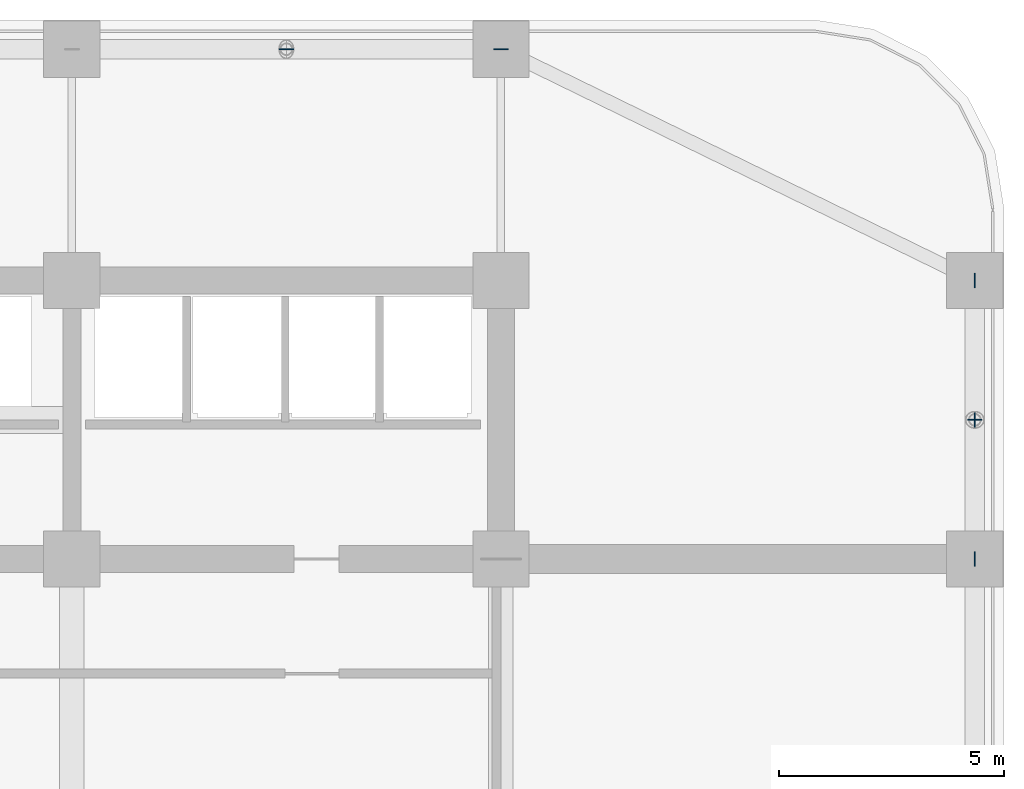
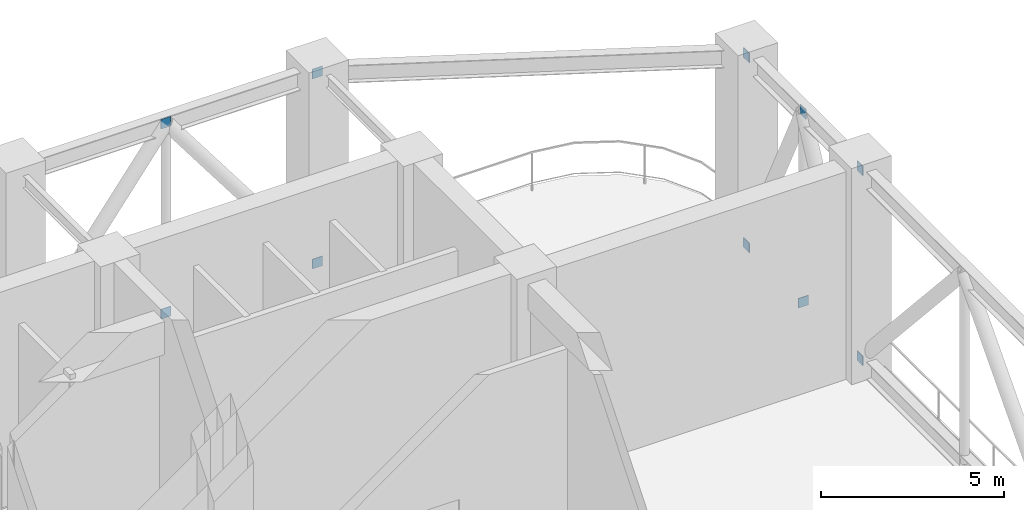
# One storey, part 17 of 20: 10 discrete accessories.
"""IFC4 building model written with IfcOpenShell, lengths in metres."""

import ifcopenshell
import ifcopenshell.guid

model = None  # the IFC model being written
_history = None  # IfcOwnerHistory: only IFC2X3 demands one
_inside = {}  # id of a spatial element -> (the spatial element, [elements in it])
_under = {}  # id of a project, library or spatial element -> (it, [spatial elements below it])
_declared = {}  # id of a project -> (the project, [libraries it declares])
_typed = {}  # id of a type object -> (the type object, [elements of that type])
_made_of = {}  # id of a material, layer set ... -> (it, [elements and type objects made of it])


def new_model(schema):
    """Start an empty IFC model of exactly this schema.

    Asked for "IFC4X3", IfcOpenShell would pick the latest addendum, in which some entities
    have other attributes; the version numbers below select the first issue.
    IFC2X3 requires an IfcOwnerHistory on every rooted entity: one is made here for all.
    """
    global model, _history
    if schema == "IFC4X3":
        model = ifcopenshell.file(schema_version=(4, 3, 0, 0))
    else:
        model = ifcopenshell.file(schema=schema)
    _inside.clear()
    _under.clear()
    _declared.clear()
    _typed.clear()
    _made_of.clear()
    _history = None
    if model.schema == "IFC2X3":
        org = make("IfcOrganization", Name="unknown")
        user = make(
            "IfcPersonAndOrganization",
            ThePerson=make("IfcPerson", FamilyName="unknown"),
            TheOrganization=org,
        )
        app = make(
            "IfcApplication",
            ApplicationDeveloper=org,
            Version="unknown",
            ApplicationFullName="unknown",
            ApplicationIdentifier="unknown",
        )
        _history = make(
            "IfcOwnerHistory",
            OwningUser=user,
            OwningApplication=app,
            ChangeAction="ADDED",
            CreationDate=0,
        )
    return model


def make(cls, **values):
    """One entity of the class cls with the attributes given. An attribute that is None is left unset."""
    return model.create_entity(
        cls, **{name: value for name, value in values.items() if value is not None}
    )


def rooted(cls, **values):
    """An entity with a GlobalId (a new one), such as an element, a storey or a relation."""
    return make(cls, GlobalId=ifcopenshell.guid.new(), OwnerHistory=_history, **values)


def si_unit(unit_type, name, prefix=None):
    """IfcSIUnit, for example si_unit("LENGTHUNIT", "METRE", prefix="MILLI")."""
    return make("IfcSIUnit", UnitType=unit_type, Prefix=prefix, Name=name)


def assignment(units):
    """IfcUnitAssignment: the units of a project."""
    return None if units is None else make("IfcUnitAssignment", Units=units)


def point(xyz):
    """IfcCartesianPoint."""
    return None if xyz is None else make("IfcCartesianPoint", Coordinates=xyz)


def direction(xyz):
    """IfcDirection."""
    return None if xyz is None else make("IfcDirection", DirectionRatios=xyz)


def frame(location, z_axis=None, x_axis=None):
    """IfcAxis2Placement3D, a coordinate frame: its origin and axes. An axis left out is left unset."""
    return make(
        "IfcAxis2Placement3D",
        Location=point(location),
        Axis=direction(z_axis),
        RefDirection=direction(x_axis),
    )


def frame_2d(location, x_axis=None):
    """IfcAxis2Placement2D, a coordinate frame in the plane: its origin and x axis."""
    return make(
        "IfcAxis2Placement2D", Location=point(location), RefDirection=direction(x_axis)
    )


def origin():
    """The frame at (0, 0, 0) with its axes left unset."""
    return frame((0.0, 0.0, 0.0))


def origin_2d():
    """The frame at (0, 0) in the plane with its x axis left unset."""
    return frame_2d((0.0, 0.0))


def place(relative_to, where):
    """IfcLocalPlacement: puts the frame where relative to a parent placement (None: the world)."""
    return make(
        "IfcLocalPlacement", PlacementRelTo=relative_to, RelativePlacement=where
    )


def context(
    kind, dimensions, precision=None, world=None, true_north=None, identifier=None
):
    """IfcGeometricRepresentationContext, for example the 3D "Model" context."""
    return make(
        "IfcGeometricRepresentationContext",
        ContextIdentifier=identifier,
        ContextType=kind,
        CoordinateSpaceDimension=dimensions,
        Precision=precision,
        WorldCoordinateSystem=world,
        TrueNorth=true_north,
    )


def subcontext(parent, identifier, kind, view, scale=None):
    """IfcGeometricRepresentationSubContext, for example "Body" below "Model"."""
    return make(
        "IfcGeometricRepresentationSubContext",
        ContextIdentifier=identifier,
        ContextType=kind,
        ParentContext=parent,
        TargetScale=scale,
        TargetView=view,
    )


def project(units=None, contexts=None):
    """IfcProject with its units and contexts."""
    return rooted(
        "IfcProject",
        Name="project",
        RepresentationContexts=contexts,
        UnitsInContext=assignment(units),
    )


def spatial(cls, under=None, at=None, **own):
    """A site, building, storey or space (cls), placed at a placement, below another one or the project."""
    s = rooted(cls, ObjectPlacement=at, **own)
    if under is not None:
        _under.setdefault(under.id(), (under, []))[1].append(s)
    return s


def profile(cls, at=None, kind="AREA", **sizes):
    """A parametric profile (cls). Its sizes go by their IFC names, for example OverallWidth=200.0."""
    return make(cls, ProfileType=kind, Position=at, **sizes)


def rectangle(**sizes):
    """IfcRectangleProfileDef."""
    return profile("IfcRectangleProfileDef", **sizes)


def extrude(swept, where, along, depth):
    """IfcExtrudedAreaSolid: the profile swept, set in the frame where, extruded along a direction by depth."""
    return make(
        "IfcExtrudedAreaSolid",
        SweptArea=swept,
        Position=where,
        ExtrudedDirection=direction(along),
        Depth=depth,
    )


def shape(context_of_items, identifier, shape_type, items):
    """IfcShapeRepresentation: the items that make up one representation, for example the "Body"."""
    return make(
        "IfcShapeRepresentation",
        ContextOfItems=context_of_items,
        RepresentationIdentifier=identifier,
        RepresentationType=shape_type,
        Items=items,
    )


def material(Name=None, Category=None):
    """IfcMaterial."""
    return make("IfcMaterial", Name=Name, Category=Category)


def layer(
    of_material, thickness, ventilated=None, Name=None, Category=None, Priority=None
):
    """IfcMaterialLayer: one layer of a wall or slab, of a material (None: an air gap)."""
    return make(
        "IfcMaterialLayer",
        Material=of_material,
        LayerThickness=thickness,
        IsVentilated=ventilated,
        Name=Name,
        Category=Category,
        Priority=Priority,
    )


def layer_set(layers, Name=None):
    """IfcMaterialLayerSet."""
    return make("IfcMaterialLayerSet", MaterialLayers=layers, LayerSetName=Name)


def made_of(thing, what):
    """Note that an element or type object is made of a material, layer set ...; save() writes the relation."""
    if what is not None:
        _made_of.setdefault(what.id(), (what, []))[1].append(thing)
    return thing


def type_object(cls, material=None, **own):
    """A type object (cls), such as IfcWallType, which elements share."""
    return made_of(rooted(cls, **own), material)


def element(
    cls,
    number,
    at=None,
    inside=None,
    cuts=None,
    type_object=None,
    material=None,
    context=None,
    identifier="Body",
    shape_type=None,
    held_by="IfcProductDefinitionShape",
    body=None,
    shapes=None,
    **own,
):
    """One element of the class cls, such as IfcWall. Its Tag is "e" and its number.

    at: its placement. inside: the storey or other place that contains it. cuts: it is an
    opening in that element (IfcRelVoidsElement). A single representation is given by context,
    identifier, shape_type and body (its items); several are given by shapes. held_by: the class
    of the entity that holds the representations. save() writes the other relations.
    """
    e = rooted(cls, Tag="e%d" % number, ObjectPlacement=at, **own)
    if body is not None:
        shapes = [shape(context, identifier, shape_type, body)]
    if shapes is not None:
        e.Representation = make(held_by, Representations=shapes)
    if inside is not None:
        _inside.setdefault(inside.id(), (inside, []))[1].append(e)
    if cuts is not None:
        rooted(
            "IfcRelVoidsElement", RelatingBuildingElement=cuts, RelatedOpeningElement=e
        )
    if type_object is not None:
        _typed.setdefault(type_object.id(), (type_object, []))[1].append(e)
    return made_of(e, material)


def aggregate(whole, parts):
    """IfcRelAggregates: a whole, such as a stair, and the parts it consists of."""
    return rooted("IfcRelAggregates", RelatingObject=whole, RelatedObjects=parts)


def save(model, path):
    """Write the relations noted so far, then the file.

    IfcRelAggregates (storeys below a building ...), IfcRelContainedInSpatialStructure (elements
    in a storey), IfcRelDefinesByType, IfcRelAssociatesMaterial and IfcRelDeclares: one each for
    every whole, place, type object, material and project.
    """
    for whole, parts in _under.values():
        aggregate(whole, parts)
    for where, things in _inside.values():
        rooted(
            "IfcRelContainedInSpatialStructure",
            RelatedElements=things,
            RelatingStructure=where,
        )
    for kind, things in _typed.values():
        rooted("IfcRelDefinesByType", RelatedObjects=things, RelatingType=kind)
    for what, things in _made_of.values():
        rooted("IfcRelAssociatesMaterial", RelatedObjects=things, RelatingMaterial=what)
    for by, libraries in _declared.values():
        rooted("IfcRelDeclares", RelatingContext=by, RelatedDefinitions=libraries)
    model.write(path)


model = new_model("IFC4")

# Units and contexts
model_context = context("Model", 3, precision=1e-05, world=origin(), true_north=direction((0.0, 1.0)))
body_context = subcontext(model_context, "Body", "Model", "MODEL_VIEW")
ifc_project = project(units=[si_unit("LENGTHUNIT", "METRE"), si_unit("AREAUNIT", "SQUARE_METRE"), si_unit("VOLUMEUNIT", "CUBIC_METRE"), si_unit("PLANEANGLEUNIT", "RADIAN"), si_unit("MASSUNIT", "GRAM", prefix="KILO")], contexts=[model_context])

# Site, building, storey
site_placement = place(None, origin())
site = spatial("IfcSite", under=ifc_project, at=site_placement, CompositionType="ELEMENT")
building_placement = place(site_placement, origin())
building = spatial("IfcBuilding", under=site, at=building_placement, Name="Svetorya Sky Lyceum", CompositionType="ELEMENT")
storey_placement = place(building_placement, frame((0.0, 0.0, 76.89990234375)))
storey = spatial("IfcBuildingStorey", under=building, at=storey_placement, Name="L19", CompositionType="ELEMENT", Elevation=76.89990234375)

# Discrete accessories
ifc_material = material(Name="Steel S355", Category="steel")
ifc_layer = layer(ifc_material, 0.02392578125)
ifc_layer_set = layer_set([ifc_layer], Name="Steel S355")
discrete_accessory_type = type_object("IfcDiscreteAccessoryType", Name="ACC-GUSSET-24", PredefinedType="BRACKET", material=ifc_layer_set)
for number, where, z_axis, x_axis, name in (
    (1, (52.800048828125, 50.949951171875, 0.13525390625), (0.0, 0.0, 1.0), (1.0, 0.0, 0.0), "L19 Brace Node Gusset Plate 25"),
    (2, (52.800048828125, 50.949951171875, 6.46484375), (0.0, 0.0, 1.0), (1.0, 0.0, 0.0), "L19 Brace Node Gusset Plate 26"),
    (3, (48.02490234375, 50.949951171875, 6.46484375), (0.0, 0.0, 1.0), (1.0, 0.0, 0.0), "L19 Brace Node Gusset Plate 27"),
    (4, (48.02490234375, 50.949951171875, 0.13525390625), (0.0, 0.0, 1.0), (1.0, 0.0, 0.0), "L19 Brace Node Gusset Plate 28"),
):
    element("IfcDiscreteAccessory", number, at=place(storey_placement, frame(where, z_axis=z_axis, x_axis=x_axis)), inside=storey, type_object=discrete_accessory_type, Name=name, PredefinedType="BRACKET", context=body_context, shape_type="SweptSolid", body=[
        extrude(rectangle(XDim=0.320068359375, YDim=0.02392578125, at=origin_2d()), origin(), (0.0, 0.0, 1.0), 0.320068359375),
    ])
for number, where, z_axis, x_axis, name in (
    (5, (63.35009765625, 39.60009765625, 0.13525390625), (0.0, 0.0, 1.0), (1.0, 0.0, 0.0), "L19 Brace Node Gusset Plate 57"),
    (6, (63.35009765625, 39.60009765625, 6.46484375), (0.0, 0.0, 1.0), (1.0, 0.0, 0.0), "L19 Brace Node Gusset Plate 58"),
    (7, (63.35009765625, 45.800048828125, 0.13525390625), (0.0, 0.0, 1.0), (1.0, 0.0, 0.0), "L19 Brace Node Gusset Plate 61"),
    (8, (63.35009765625, 45.800048828125, 6.46484375), (0.0, 0.0, 1.0), (1.0, 0.0, 0.0), "L19 Brace Node Gusset Plate 62"),
    (9, (63.35009765625, 42.699951171875, 6.46484375), (0.0, 0.0, 1.0), (1.0, 0.0, 0.0), "L19 Brace Node Gusset Plate 63"),
):
    element("IfcDiscreteAccessory", number, at=place(storey_placement, frame(where, z_axis=z_axis, x_axis=x_axis)), inside=storey, type_object=discrete_accessory_type, Name=name, PredefinedType="BRACKET", context=body_context, shape_type="SweptSolid", body=[
        extrude(rectangle(XDim=0.02392578125, YDim=0.320068359375, at=origin_2d()), origin(), (0.0, 0.0, 1.0), 0.320068359375),
    ])
discrete_accessory_placement = place(storey_placement, frame((63.35009765625, 42.699951171875, 0.13525390625), z_axis=(0.0, 0.0, 1.0), x_axis=(1.0, 0.0, 0.0)))
element("IfcDiscreteAccessory", 10, at=discrete_accessory_placement, inside=storey, type_object=discrete_accessory_type, Name="L19 Brace Node Gusset Plate 64", PredefinedType="BRACKET", context=body_context, shape_type="SweptSolid", body=[
    extrude(rectangle(XDim=0.320068359375, YDim=0.02392578125, at=origin_2d()), origin(), (0.0, 0.0, 1.0), 0.320068359375),
])

save(model, "model.ifc")
